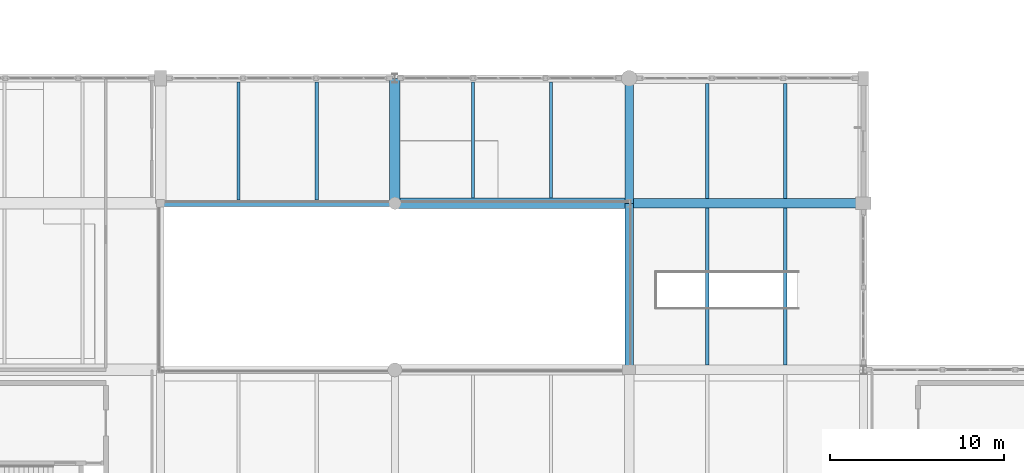
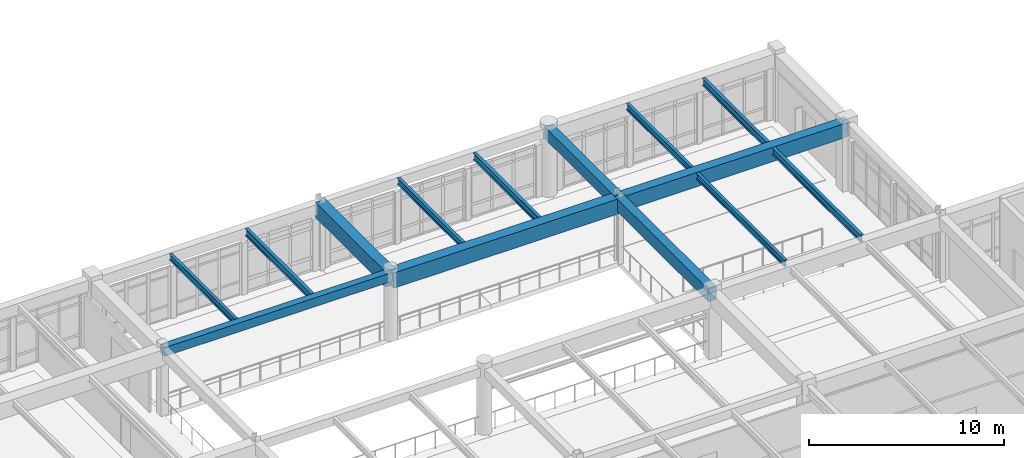
# One storey, part 31 of 80: 14 beams.
"""IFC4 building model written with IfcOpenShell, lengths in metres."""

from ifc_helpers import new_model, si_unit, direction, frame, origin, origin_2d, place, context, subcontext, project, spatial, rectangle, i_section, extrude, material, material_profile, profile_set, type_object, element, save


model = new_model("IFC4")

# Units and contexts
model_context = context("Model", 3, precision=1e-05, world=origin(), true_north=direction((0.0, 1.0)))
body_context = subcontext(model_context, "Body", "Model", "MODEL_VIEW")
ifc_project = project(units=[si_unit("LENGTHUNIT", "METRE"), si_unit("AREAUNIT", "SQUARE_METRE"), si_unit("VOLUMEUNIT", "CUBIC_METRE"), si_unit("PLANEANGLEUNIT", "RADIAN"), si_unit("MASSUNIT", "GRAM", prefix="KILO")], contexts=[model_context])

# Site, building, storey
site_placement = place(None, origin())
site = spatial("IfcSite", under=ifc_project, at=site_placement, CompositionType="ELEMENT")
building_placement = place(site_placement, origin())
building = spatial("IfcBuilding", under=site, at=building_placement, Name="Fikremerkos Civic Library", CompositionType="ELEMENT")
storey_placement = place(building_placement, frame((0.0, 0.0, 9.89990234375)))
storey = spatial("IfcBuildingStorey", under=building, at=storey_placement, Name="L02", CompositionType="ELEMENT", Elevation=9.89990234375)

# Beams
ifc_material_1 = material(Name="Steel S355", Category="steel")
ifc_material_profile_1 = material_profile(ifc_material_1, i_section(OverallWidth=0.18994140625, OverallDepth=0.449951171875, WebThickness=0.009521484375, FlangeThickness=0.0146484375, FilletRadius=0.02099609375, at=origin_2d()), Name="IPE 450")
ifc_profile_set_1 = profile_set([ifc_material_profile_1], Name="Steel S355")
beam_type_1 = type_object("IfcBeamType", Name="Floor joist JS-07 IPE 450", PredefinedType="JOIST", material=ifc_profile_set_1)
beam_1_placement = place(storey_placement, frame((68.699951171875, 41.0, 3.9951171875), z_axis=(0.0, 1.0, 0.0), x_axis=(-1.0, 0.0, 0.0)))
element("IfcBeam", 1, at=beam_1_placement, inside=storey, type_object=beam_type_1, Name="Floor joist JS-07 L02 #503", PredefinedType="JOIST", context=body_context, shape_type="SweptSolid", body=[
    extrude(i_section(OverallWidth=0.18994140625, OverallDepth=0.449951171875, WebThickness=0.009521484375, FlangeThickness=0.0146484375, FilletRadius=0.02099609375, at=origin_2d()), origin(), (0.0, 0.0, 1.0), 6.77490234375),
])
beam_2_placement = place(storey_placement, frame((82.199951171875, 41.10009765625, 3.9951171875), z_axis=(0.0, 1.0, 0.0), x_axis=(-1.0, 0.0, 0.0)))
element("IfcBeam", 2, at=beam_2_placement, inside=storey, type_object=beam_type_1, Name="Floor joist JS-07 L02 #509", PredefinedType="JOIST", context=body_context, shape_type="SweptSolid", body=[
    extrude(i_section(OverallWidth=0.18994140625, OverallDepth=0.449951171875, WebThickness=0.009521484375, FlangeThickness=0.0146484375, FilletRadius=0.02099609375, at=origin_2d()), origin(), (0.0, 0.0, 1.0), 6.699951171875),
])
beam_3_placement = place(storey_placement, frame((95.699951171875, 31.47509765625, 3.9951171875), z_axis=(0.0, 1.0, 0.0), x_axis=(-1.0, 0.0, 0.0)))
element("IfcBeam", 3, at=beam_3_placement, inside=storey, type_object=beam_type_1, Name="Floor joist JS-07 L02 #515", PredefinedType="JOIST", context=body_context, shape_type="SweptSolid", body=[
    extrude(i_section(OverallWidth=0.18994140625, OverallDepth=0.449951171875, WebThickness=0.009521484375, FlangeThickness=0.0146484375, FilletRadius=0.02099609375, at=origin_2d()), origin(), (0.0, 0.0, 1.0), 9.0498046875),
])
beam_4_placement = place(storey_placement, frame((95.699951171875, 41.074951171875, 3.9951171875), z_axis=(0.0, 1.0, 0.0), x_axis=(-1.0, 0.0, 0.0)))
element("IfcBeam", 4, at=beam_4_placement, inside=storey, type_object=beam_type_1, Name="Floor joist JS-07 L02 #517", PredefinedType="JOIST", context=body_context, shape_type="SweptSolid", body=[
    extrude(i_section(OverallWidth=0.18994140625, OverallDepth=0.449951171875, WebThickness=0.009521484375, FlangeThickness=0.0146484375, FilletRadius=0.02099609375, at=origin_2d()), origin(), (0.0, 0.0, 1.0), 6.625),
])
ifc_material_profile_2 = material_profile(ifc_material_1, i_section(OverallWidth=0.179931640625, OverallDepth=0.39990234375, WebThickness=0.008544921875, FlangeThickness=0.013427734375, FilletRadius=0.02099609375, at=origin_2d()), Name="IPE 400")
ifc_profile_set_2 = profile_set([ifc_material_profile_2], Name="Steel S355")
beam_type_2 = type_object("IfcBeamType", Name="Floor joist JS-08 IPE 400", PredefinedType="JOIST", material=ifc_profile_set_2)
beam_5_placement = place(storey_placement, frame((64.199951171875, 41.0, 4.02001953125), z_axis=(0.0, 1.0, 0.0), x_axis=(-1.0, 0.0, 0.0)))
element("IfcBeam", 5, at=beam_5_placement, inside=storey, type_object=beam_type_2, Name="Floor joist JS-08 L02 #502", PredefinedType="JOIST", context=body_context, shape_type="SweptSolid", body=[
    extrude(i_section(OverallWidth=0.179931640625, OverallDepth=0.39990234375, WebThickness=0.008544921875, FlangeThickness=0.013427734375, FilletRadius=0.02099609375, at=origin_2d()), origin(), (0.0, 0.0, 1.0), 6.77490234375),
])
beam_6_placement = place(storey_placement, frame((77.699951171875, 41.10009765625, 4.02001953125), z_axis=(0.0, 1.0, 0.0), x_axis=(-1.0, 0.0, 0.0)))
element("IfcBeam", 6, at=beam_6_placement, inside=storey, type_object=beam_type_2, Name="Floor joist JS-08 L02 #508", PredefinedType="JOIST", context=body_context, shape_type="SweptSolid", body=[
    extrude(i_section(OverallWidth=0.179931640625, OverallDepth=0.39990234375, WebThickness=0.008544921875, FlangeThickness=0.013427734375, FilletRadius=0.02099609375, at=origin_2d()), origin(), (0.0, 0.0, 1.0), 6.699951171875),
])
beam_7_placement = place(storey_placement, frame((91.199951171875, 31.47509765625, 4.02001953125), z_axis=(0.0, 1.0, 0.0), x_axis=(-1.0, 0.0, 0.0)))
element("IfcBeam", 7, at=beam_7_placement, inside=storey, type_object=beam_type_2, Name="Floor joist JS-08 L02 #514", PredefinedType="JOIST", context=body_context, shape_type="SweptSolid", body=[
    extrude(i_section(OverallWidth=0.179931640625, OverallDepth=0.39990234375, WebThickness=0.008544921875, FlangeThickness=0.013427734375, FilletRadius=0.02099609375, at=origin_2d()), origin(), (0.0, 0.0, 1.0), 9.0498046875),
])
beam_8_placement = place(storey_placement, frame((91.199951171875, 41.074951171875, 4.02001953125), z_axis=(0.0, 1.0, 0.0), x_axis=(-1.0, 0.0, 0.0)))
element("IfcBeam", 8, at=beam_8_placement, inside=storey, type_object=beam_type_2, Name="Floor joist JS-08 L02 #516", PredefinedType="JOIST", context=body_context, shape_type="SweptSolid", body=[
    extrude(i_section(OverallWidth=0.179931640625, OverallDepth=0.39990234375, WebThickness=0.008544921875, FlangeThickness=0.013427734375, FilletRadius=0.02099609375, at=origin_2d()), origin(), (0.0, 0.0, 1.0), 6.625),
])
ifc_material_2 = material(Name="Concrete C40/50", Category="concrete")
ifc_material_profile_3 = material_profile(ifc_material_2, rectangle(XDim=0.60009765625, YDim=0.949951171875, at=origin_2d()), Name="RC 600x950")
ifc_profile_set_3 = profile_set([ifc_material_profile_3], Name="Concrete C40/50")
beam_type_3 = type_object("IfcBeamType", Name="Primary girder BM-01 RC 600x950", PredefinedType="BEAM", material=ifc_profile_set_3)
beam_9_placement = place(storey_placement, frame((73.199951171875, 40.800048828125, 3.7451171875), z_axis=(1.0, 0.0, 0.0), x_axis=(0.0, 1.0, 0.0)))
element("IfcBeam", 9, at=beam_9_placement, inside=storey, type_object=beam_type_3, Name="Primary girder BM-01 L02 grid H", PredefinedType="BEAM", context=body_context, shape_type="SweptSolid", body=[
    extrude(rectangle(XDim=0.60009765625, YDim=0.949951171875, at=origin_2d()), origin(), (0.0, 0.0, 1.0), 13.5),
])
beam_10_placement = place(storey_placement, frame((73.199951171875, 40.800048828125, 3.7451171875), z_axis=(0.0, 1.0, 0.0), x_axis=(-1.0, 0.0, 0.0)))
element("IfcBeam", 10, at=beam_10_placement, inside=storey, type_object=beam_type_3, Name="Primary girder BM-01 L02 grid 7", PredefinedType="BEAM", context=body_context, shape_type="SweptSolid", body=[
    extrude(rectangle(XDim=0.60009765625, YDim=0.949951171875, at=origin_2d()), origin(), (0.0, 0.0, 1.0), 7.199951171875),
])
ifc_material_profile_4 = material_profile(ifc_material_2, rectangle(XDim=0.550048828125, YDim=0.89990234375, at=origin_2d()), Name="RC 550x900")
ifc_profile_set_4 = profile_set([ifc_material_profile_4], Name="Concrete C40/50")
beam_type_4 = type_object("IfcBeamType", Name="Primary girder BM-02 RC 550x900", PredefinedType="BEAM", material=ifc_profile_set_4)
beam_11_placement = place(storey_placement, frame((86.699951171875, 40.800048828125, 3.77001953125), z_axis=(1.0, 0.0, 0.0), x_axis=(0.0, 1.0, 0.0)))
element("IfcBeam", 11, at=beam_11_placement, inside=storey, type_object=beam_type_4, Name="Primary girder BM-02 L02 grid H", PredefinedType="BEAM", context=body_context, shape_type="SweptSolid", body=[
    extrude(rectangle(XDim=0.550048828125, YDim=0.89990234375, at=origin_2d()), origin(), (0.0, 0.0, 1.0), 13.5),
])
ifc_material_profile_5 = material_profile(ifc_material_2, rectangle(XDim=0.5, YDim=0.800048828125, at=origin_2d()), Name="RC 500x800")
ifc_profile_set_5 = profile_set([ifc_material_profile_5], Name="Concrete C40/50")
beam_type_5 = type_object("IfcBeamType", Name="Primary girder BM-04 RC 500x800", PredefinedType="BEAM", material=ifc_profile_set_5)
beam_12_placement = place(storey_placement, frame((86.699951171875, 31.199951171875, 3.820068359375), z_axis=(0.0, 1.0, 0.0), x_axis=(-1.0, 0.0, 0.0)))
element("IfcBeam", 12, at=beam_12_placement, inside=storey, type_object=beam_type_5, Name="Primary girder BM-04 L02 grid 8", PredefinedType="BEAM", context=body_context, shape_type="SweptSolid", body=[
    extrude(rectangle(XDim=0.5, YDim=0.800048828125, at=origin_2d()), origin(), (0.0, 0.0, 1.0), 9.60009765625),
])
ifc_material_profile_6 = material_profile(ifc_material_2, rectangle(XDim=0.5, YDim=0.75, at=origin_2d()), Name="RC 500x750")
ifc_profile_set_6 = profile_set([ifc_material_profile_6], Name="Concrete C40/50")
beam_type_6 = type_object("IfcBeamType", Name="Primary girder BM-05 RC 500x750", PredefinedType="BEAM", material=ifc_profile_set_6)
beam_13_placement = place(storey_placement, frame((86.699951171875, 40.800048828125, 3.84521484375), z_axis=(0.0, 1.0, 0.0), x_axis=(-1.0, 0.0, 0.0)))
element("IfcBeam", 13, at=beam_13_placement, inside=storey, type_object=beam_type_6, Name="Primary girder BM-05 L02 grid 8", PredefinedType="BEAM", context=body_context, shape_type="SweptSolid", body=[
    extrude(rectangle(XDim=0.5, YDim=0.75, at=origin_2d()), origin(), (0.0, 0.0, 1.0), 7.199951171875),
])
ifc_material_profile_7 = material_profile(ifc_material_2, rectangle(XDim=0.39990234375, YDim=0.550048828125, at=origin_2d()), Name="RC 400x550")
ifc_profile_set_7 = profile_set([ifc_material_profile_7], Name="Concrete C40/50")
beam_type_7 = type_object("IfcBeamType", Name="Primary girder BM-26 RC 400x550", PredefinedType="BEAM", material=ifc_profile_set_7)
beam_14_placement = place(storey_placement, frame((59.699951171875, 40.800048828125, 3.945068359375), z_axis=(1.0, 0.0, 0.0), x_axis=(0.0, 1.0, 0.0)))
element("IfcBeam", 14, at=beam_14_placement, inside=storey, type_object=beam_type_7, Name="Primary girder BM-26 L02 grid H", PredefinedType="BEAM", context=body_context, shape_type="SweptSolid", body=[
    extrude(rectangle(XDim=0.39990234375, YDim=0.550048828125, at=origin_2d()), origin(), (0.0, 0.0, 1.0), 13.5),
])

save(model, "model.ifc")
